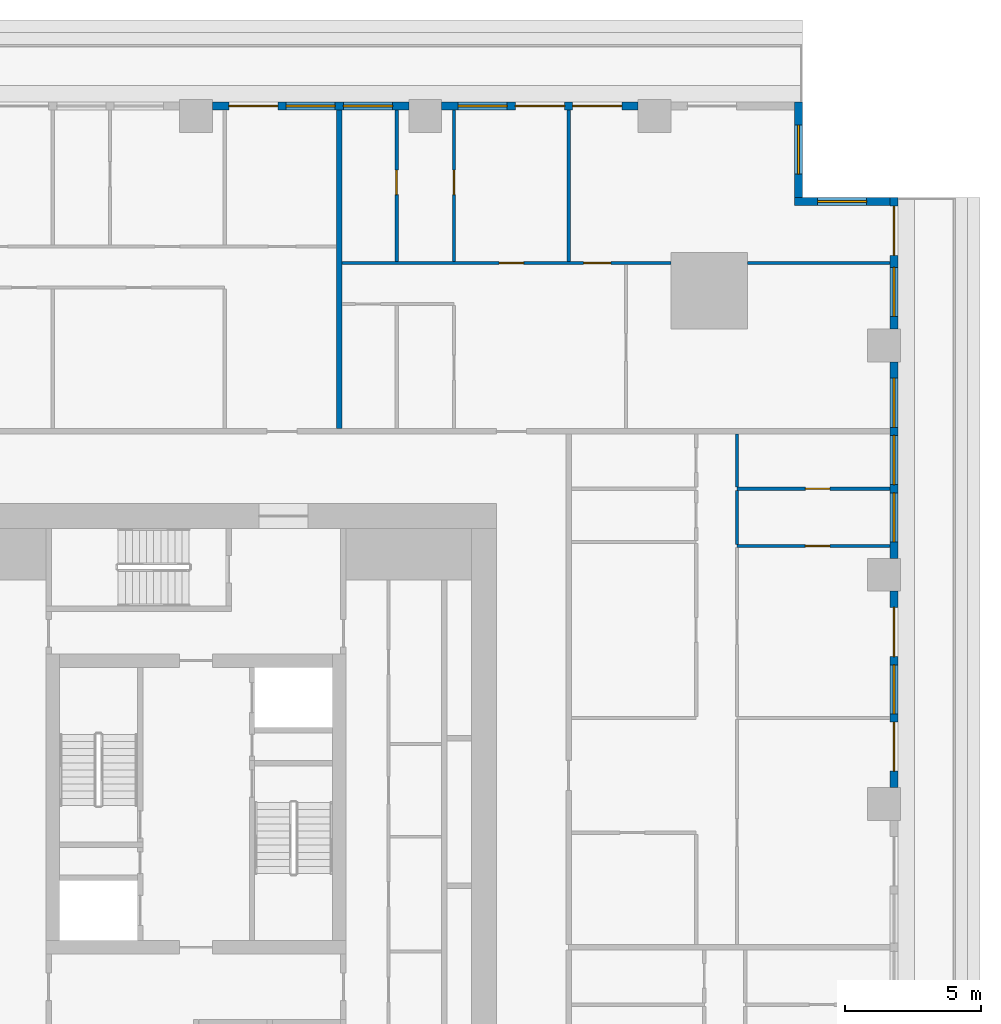
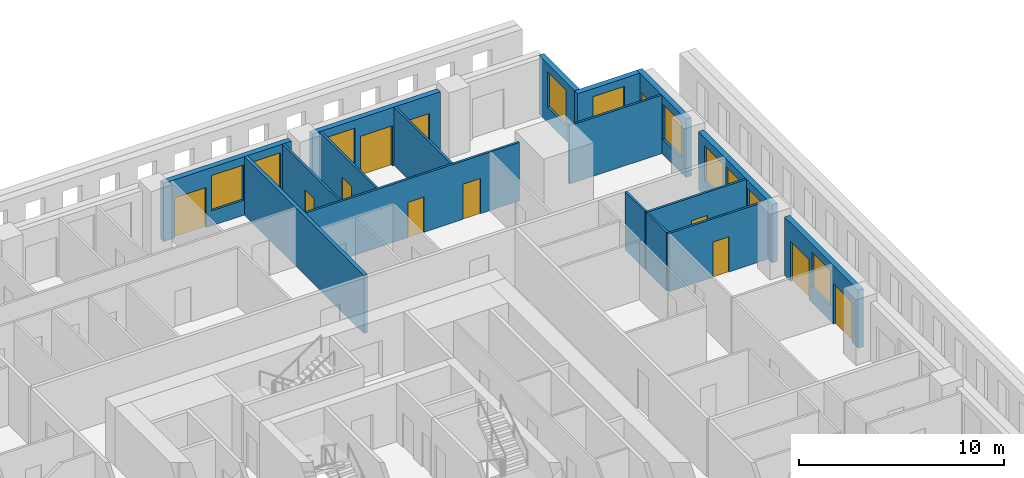
# One storey, part 9 of 15: 17 walls, 12 doors, 10 windows, 22 openings.
"""IFC4 building model written with IfcOpenShell, lengths in metres."""

from ifc_helpers import new_model, si_unit, direction, frame, frame_2d, origin, place, context, subcontext, project, spatial, rectangle, extrude, material, layer, layer_set, type_object, element, fill, save


model = new_model("IFC4")

# Units and contexts
model_context = context("Model", 3, precision=1e-05, world=origin(), true_north=direction((0.0, 1.0)))
body_context = subcontext(model_context, "Body", "Model", "MODEL_VIEW")
ifc_project = project(units=[si_unit("LENGTHUNIT", "METRE"), si_unit("AREAUNIT", "SQUARE_METRE"), si_unit("VOLUMEUNIT", "CUBIC_METRE"), si_unit("PLANEANGLEUNIT", "RADIAN"), si_unit("MASSUNIT", "GRAM", prefix="KILO")], contexts=[model_context])

# Site, building, storey
site_placement = place(None, origin())
site = spatial("IfcSite", under=ifc_project, at=site_placement, CompositionType="ELEMENT")
building_placement = place(site_placement, origin())
building = spatial("IfcBuilding", under=site, at=building_placement, Name="Khepri Terraces", CompositionType="ELEMENT")
storey_placement = place(building_placement, frame((0.0, 0.0, 83.10009765625)))
storey = spatial("IfcBuildingStorey", under=building, at=storey_placement, Name="L19", CompositionType="ELEMENT", Elevation=83.10009765625)

# Wall
ifc_material_1 = material(Name="Fire-rated gypsum plasterboard partition, mineral wool")
ifc_layer_1 = layer(ifc_material_1, 0.199951171875, Name="Fire-rated gypsum plasterboard partition, mineral wool")
ifc_layer_set_1 = layer_set([ifc_layer_1], Name="Fire-rated gypsum plasterboard partition, mineral wool")
wall_type_1 = type_object("IfcWallType", Name="WL-CORR-200", PredefinedType="PARTITIONING", material=ifc_layer_set_1)
wall_1_placement = place(storey_placement, frame((5.25, 13.75, 0.0), z_axis=(0.0, 0.0, 1.0), x_axis=(0.0, 1.0, 0.0)))
element("IfcWall", 1, at=wall_1_placement, inside=storey, type_object=wall_type_1, Name="Partition P-086 L19", PredefinedType="PARTITIONING", context=body_context, shape_type="SweptSolid", body=[
    extrude(rectangle(XDim=11.669921875, YDim=0.199951171875, at=frame_2d((5.8349609375, 0.0))), origin(), (0.0, 0.0, 1.0), 3.47998046875),
])

# Wall, openings, doors, window
ifc_material_2 = material(Name="Precast concrete C50/60 warm stone", Category="masonry")
ifc_layer_2 = layer(ifc_material_2, 0.300048828125, Name="Precast concrete C50/60 warm stone", Category="masonry")
ifc_layer_set_2 = layer_set([ifc_layer_2], Name="Precast concrete C50/60 warm stone")
wall_type_2 = type_object("IfcWallType", Name="WL-EXT-PRECAST-300", PredefinedType="STANDARD", material=ifc_layer_set_2)
wall_2_placement = place(storey_placement, frame((25.570068359375, 0.60009765625, 0.0), z_axis=(0.0, 0.0, 1.0), x_axis=(0.0, 1.0, 0.0)))
wall_2 = element("IfcWall", 2, at=wall_2_placement, inside=storey, type_object=wall_type_2, Name="External wall L19 E", PredefinedType="STANDARD", context=body_context, shape_type="SweptSolid", body=[
    extrude(rectangle(XDim=7.199951171875, YDim=0.300048828125, at=frame_2d((3.60009765625, 0.0))), origin(), (0.0, 0.0, 1.0), 3.47998046875),
])
opening_1_placement = place(wall_2_placement, frame((0.60009765625, 0.0, 0.0)))
opening_1 = element("IfcOpeningElement", 3, at=opening_1_placement, cuts=wall_2, Name="Opening ED-L19-05", PredefinedType="OPENING", context=body_context, shape_type="SweptSolid", body=[
    extrude(rectangle(XDim=1.800048828125, YDim=2.39990234375, at=frame_2d((0.89990234375, 1.199951171875))), frame((0.0, 0.16015625, 0.0), z_axis=(0.0, -1.0, 0.0), x_axis=(1.0, 0.0, 0.0)), (0.0, 0.0, 1.0), 0.320068359375),
])
opening_2_placement = place(wall_2_placement, frame((2.699951171875, 0.0, 0.89990234375)))
opening_2 = element("IfcOpeningElement", 4, at=opening_2_placement, cuts=wall_2, Name="Opening W1", PredefinedType="OPENING", context=body_context, shape_type="SweptSolid", body=[
    extrude(rectangle(XDim=1.800048828125, YDim=2.10009765625, at=frame_2d((0.89990234375, 1.050048828125))), frame((0.0, 0.16015625, 0.0), z_axis=(0.0, -1.0, 0.0), x_axis=(1.0, 0.0, 0.0)), (0.0, 0.0, 1.0), 0.320068359375),
])
opening_3_placement = place(wall_2_placement, frame((4.800048828125, 0.0, 0.0)))
opening_3 = element("IfcOpeningElement", 5, at=opening_3_placement, cuts=wall_2, Name="Opening ED-L19-06", PredefinedType="OPENING", context=body_context, shape_type="SweptSolid", body=[
    extrude(rectangle(XDim=1.800048828125, YDim=2.39990234375, at=frame_2d((0.89990234375, 1.199951171875))), frame((0.0, 0.16015625, 0.0), z_axis=(0.0, -1.0, 0.0), x_axis=(1.0, 0.0, 0.0)), (0.0, 0.0, 1.0), 0.320068359375),
])
ifc_material_3 = material(Name="Anodised aluminium bronze glazed door", Category="aluminium")
door_type_1 = type_object("IfcDoorType", Name="DR-BAL-SLIDE-1800x2400", OperationType="NOTDEFINED", PredefinedType="DOOR", material=ifc_material_3)
door_1_placement = place(opening_1_placement, origin())
door_1 = element("IfcDoor", 6, at=door_1_placement, inside=storey, type_object=door_type_1, Name="Balcony door L19 E", OperationType="SLIDING_TO_LEFT", OverallHeight=2.39990234375, OverallWidth=1.800048828125, PredefinedType="DOOR", context=body_context, shape_type="SweptSolid", body=[
    extrude(rectangle(XDim=1.800048828125, YDim=2.39990234375, at=frame_2d((0.89990234375, 1.199951171875))), frame((0.0, 0.02490234375, 0.0), z_axis=(0.0, -1.0, 0.0), x_axis=(1.0, 0.0, 0.0)), (0.0, 0.0, 1.0), 0.050048828125),
])
fill(opening_1, door_1)
door_2_placement = place(opening_3_placement, origin())
door_2 = element("IfcDoor", 7, at=door_2_placement, inside=storey, type_object=door_type_1, Name="Balcony door L19 E", OperationType="SLIDING_TO_RIGHT", OverallHeight=2.39990234375, OverallWidth=1.800048828125, PredefinedType="DOOR", context=body_context, shape_type="SweptSolid", body=[
    extrude(rectangle(XDim=1.800048828125, YDim=2.39990234375, at=frame_2d((0.89990234375, 1.199951171875))), frame((0.0, 0.02490234375, 0.0), z_axis=(0.0, -1.0, 0.0), x_axis=(1.0, 0.0, 0.0)), (0.0, 0.0, 1.0), 0.050048828125),
])
fill(opening_3, door_2)
ifc_material_4 = material(Name="Clear glass", Category="glass")
window_type = type_object("IfcWindowType", Name="WIN-RES-1800x2100", PartitioningType="SINGLE_PANEL", PredefinedType="WINDOW", material=ifc_material_4)
window_1_placement = place(opening_2_placement, origin())
window_1 = element("IfcWindow", 8, at=window_1_placement, inside=storey, type_object=window_type, Name="Window L19 E", OverallHeight=2.10009765625, OverallWidth=1.800048828125, PartitioningType="SINGLE_PANEL", PredefinedType="WINDOW", context=body_context, shape_type="SweptSolid", body=[
    extrude(rectangle(XDim=1.800048828125, YDim=2.10009765625, at=frame_2d((0.89990234375, 1.050048828125))), frame((0.0, 0.030029296875, 0.0), z_axis=(0.0, -1.0, 0.0), x_axis=(1.0, 0.0, 0.0)), (0.0, 0.0, 1.0), 0.06005859375),
])
fill(opening_2, window_1)

# Wall, openings, windows
wall_3_placement = place(storey_placement, frame((25.570068359375, 9.0, 0.0), z_axis=(0.0, 0.0, 1.0), x_axis=(0.0, 1.0, 0.0)))
wall_3 = element("IfcWall", 9, at=wall_3_placement, inside=storey, type_object=wall_type_2, Name="External wall L19 E", PredefinedType="STANDARD", context=body_context, shape_type="SweptSolid", body=[
    extrude(rectangle(XDim=7.199951171875, YDim=0.300048828125, at=frame_2d((3.60009765625, 0.0))), origin(), (0.0, 0.0, 1.0), 3.47998046875),
])
opening_4_placement = place(wall_3_placement, frame((0.60009765625, 0.0, 0.89990234375)))
opening_4 = element("IfcOpeningElement", 10, at=opening_4_placement, cuts=wall_3, Name="Opening W1", PredefinedType="OPENING", context=body_context, shape_type="SweptSolid", body=[
    extrude(rectangle(XDim=1.800048828125, YDim=2.10009765625, at=frame_2d((0.89990234375, 1.050048828125))), frame((0.0, 0.16015625, 0.0), z_axis=(0.0, -1.0, 0.0), x_axis=(1.0, 0.0, 0.0)), (0.0, 0.0, 1.0), 0.320068359375),
])
opening_5_placement = place(wall_3_placement, frame((2.699951171875, 0.0, 0.89990234375)))
opening_5 = element("IfcOpeningElement", 11, at=opening_5_placement, cuts=wall_3, Name="Opening W1", PredefinedType="OPENING", context=body_context, shape_type="SweptSolid", body=[
    extrude(rectangle(XDim=1.800048828125, YDim=2.10009765625, at=frame_2d((0.89990234375, 1.050048828125))), frame((0.0, 0.16015625, 0.0), z_axis=(0.0, -1.0, 0.0), x_axis=(1.0, 0.0, 0.0)), (0.0, 0.0, 1.0), 0.320068359375),
])
opening_6_placement = place(wall_3_placement, frame((4.800048828125, 0.0, 0.89990234375)))
opening_6 = element("IfcOpeningElement", 12, at=opening_6_placement, cuts=wall_3, Name="Opening W1", PredefinedType="OPENING", context=body_context, shape_type="SweptSolid", body=[
    extrude(rectangle(XDim=1.800048828125, YDim=2.10009765625, at=frame_2d((0.89990234375, 1.050048828125))), frame((0.0, 0.16015625, 0.0), z_axis=(0.0, -1.0, 0.0), x_axis=(1.0, 0.0, 0.0)), (0.0, 0.0, 1.0), 0.320068359375),
])
window_2_placement = place(opening_4_placement, origin())
window_2 = element("IfcWindow", 13, at=window_2_placement, inside=storey, type_object=window_type, Name="Window L19 E", OverallHeight=2.10009765625, OverallWidth=1.800048828125, PartitioningType="SINGLE_PANEL", PredefinedType="WINDOW", context=body_context, shape_type="SweptSolid", body=[
    extrude(rectangle(XDim=1.800048828125, YDim=2.10009765625, at=frame_2d((0.89990234375, 1.050048828125))), frame((0.0, 0.030029296875, 0.0), z_axis=(0.0, -1.0, 0.0), x_axis=(1.0, 0.0, 0.0)), (0.0, 0.0, 1.0), 0.06005859375),
])
fill(opening_4, window_2)
window_3_placement = place(opening_5_placement, origin())
window_3 = element("IfcWindow", 14, at=window_3_placement, inside=storey, type_object=window_type, Name="Window L19 E", OverallHeight=2.10009765625, OverallWidth=1.800048828125, PartitioningType="SINGLE_PANEL", PredefinedType="WINDOW", context=body_context, shape_type="SweptSolid", body=[
    extrude(rectangle(XDim=1.800048828125, YDim=2.10009765625, at=frame_2d((0.89990234375, 1.050048828125))), frame((0.0, 0.030029296875, 0.0), z_axis=(0.0, -1.0, 0.0), x_axis=(1.0, 0.0, 0.0)), (0.0, 0.0, 1.0), 0.06005859375),
])
fill(opening_5, window_3)
window_4_placement = place(opening_6_placement, origin())
window_4 = element("IfcWindow", 15, at=window_4_placement, inside=storey, type_object=window_type, Name="Window L19 E", OverallHeight=2.10009765625, OverallWidth=1.800048828125, PartitioningType="SINGLE_PANEL", PredefinedType="WINDOW", context=body_context, shape_type="SweptSolid", body=[
    extrude(rectangle(XDim=1.800048828125, YDim=2.10009765625, at=frame_2d((0.89990234375, 1.050048828125))), frame((0.0, 0.030029296875, 0.0), z_axis=(0.0, -1.0, 0.0), x_axis=(1.0, 0.0, 0.0)), (0.0, 0.0, 1.0), 0.06005859375),
])
fill(opening_6, window_4)

# Wall, openings, door, window
wall_4_placement = place(storey_placement, frame((25.570068359375, 17.39990234375, 0.0), z_axis=(0.0, 0.0, 1.0), x_axis=(0.0, 1.0, 0.0)))
wall_4 = element("IfcWall", 16, at=wall_4_placement, inside=storey, type_object=wall_type_2, Name="External wall L19 E", PredefinedType="STANDARD", context=body_context, shape_type="SweptSolid", body=[
    extrude(rectangle(XDim=4.820068359375, YDim=0.300048828125, at=frame_2d((2.41015625, 0.0))), origin(), (0.0, 0.0, 1.0), 3.47998046875),
])
opening_7_placement = place(wall_4_placement, frame((2.699951171875, 0.0, 0.0)))
opening_7 = element("IfcOpeningElement", 17, at=opening_7_placement, cuts=wall_4, Name="Opening ED-L19-07", PredefinedType="OPENING", context=body_context, shape_type="SweptSolid", body=[
    extrude(rectangle(XDim=1.800048828125, YDim=2.39990234375, at=frame_2d((0.89990234375, 1.199951171875))), frame((0.0, 0.16015625, 0.0), z_axis=(0.0, -1.0, 0.0), x_axis=(1.0, 0.0, 0.0)), (0.0, 0.0, 1.0), 0.320068359375),
])
opening_8_placement = place(wall_4_placement, frame((0.4599609375, 0.0, 0.89990234375)))
opening_8 = element("IfcOpeningElement", 18, at=opening_8_placement, cuts=wall_4, Name="Opening W1", PredefinedType="OPENING", context=body_context, shape_type="SweptSolid", body=[
    extrude(rectangle(XDim=1.800048828125, YDim=2.10009765625, at=frame_2d((0.89990234375, 1.050048828125))), frame((0.0, 0.16015625, 0.0), z_axis=(0.0, -1.0, 0.0), x_axis=(1.0, 0.0, 0.0)), (0.0, 0.0, 1.0), 0.320068359375),
])
door_3_placement = place(opening_7_placement, origin())
door_3 = element("IfcDoor", 19, at=door_3_placement, inside=storey, type_object=door_type_1, Name="Balcony door L19 E", OperationType="SLIDING_TO_LEFT", OverallHeight=2.39990234375, OverallWidth=1.800048828125, PredefinedType="DOOR", context=body_context, shape_type="SweptSolid", body=[
    extrude(rectangle(XDim=1.800048828125, YDim=2.39990234375, at=frame_2d((0.89990234375, 1.199951171875))), frame((0.0, 0.02490234375, 0.0), z_axis=(0.0, -1.0, 0.0), x_axis=(1.0, 0.0, 0.0)), (0.0, 0.0, 1.0), 0.050048828125),
])
fill(opening_7, door_3)
window_5_placement = place(opening_8_placement, origin())
window_5 = element("IfcWindow", 20, at=window_5_placement, inside=storey, type_object=window_type, Name="Window L19 E", OverallHeight=2.10009765625, OverallWidth=1.800048828125, PartitioningType="SINGLE_PANEL", PredefinedType="WINDOW", context=body_context, shape_type="SweptSolid", body=[
    extrude(rectangle(XDim=1.800048828125, YDim=2.10009765625, at=frame_2d((0.89990234375, 1.050048828125))), frame((0.0, 0.030029296875, 0.0), z_axis=(0.0, -1.0, 0.0), x_axis=(1.0, 0.0, 0.0)), (0.0, 0.0, 1.0), 0.06005859375),
])
fill(opening_8, window_5)

# Wall, opening, window
wall_5_placement = place(storey_placement, frame((25.419921875, 22.070068359375, 0.0), z_axis=(0.0, 0.0, 1.0), x_axis=(-1.0, 0.0, 0.0)))
wall_5 = element("IfcWall", 21, at=wall_5_placement, inside=storey, type_object=wall_type_2, Name="External wall L19 N", PredefinedType="STANDARD", context=body_context, shape_type="SweptSolid", body=[
    extrude(rectangle(XDim=3.5, YDim=0.300048828125, at=frame_2d((1.75, 0.0))), origin(), (0.0, 0.0, 1.0), 3.47998046875),
])
opening_9_placement = place(wall_5_placement, frame((0.85009765625, 0.0, 0.89990234375)))
opening_9 = element("IfcOpeningElement", 22, at=opening_9_placement, cuts=wall_5, Name="Opening W1", PredefinedType="OPENING", context=body_context, shape_type="SweptSolid", body=[
    extrude(rectangle(XDim=1.800048828125, YDim=2.10009765625, at=frame_2d((0.89990234375, 1.050048828125))), frame((0.0, 0.16015625, 0.0), z_axis=(0.0, -1.0, 0.0), x_axis=(1.0, 0.0, 0.0)), (0.0, 0.0, 1.0), 0.320068359375),
])
window_6_placement = place(opening_9_placement, origin())
window_6 = element("IfcWindow", 23, at=window_6_placement, inside=storey, type_object=window_type, Name="Window L19 N", OverallHeight=2.10009765625, OverallWidth=1.800048828125, PartitioningType="SINGLE_PANEL", PredefinedType="WINDOW", context=body_context, shape_type="SweptSolid", body=[
    extrude(rectangle(XDim=1.800048828125, YDim=2.10009765625, at=frame_2d((0.89990234375, 1.050048828125))), frame((0.0, 0.030029296875, 0.0), z_axis=(0.0, -1.0, 0.0), x_axis=(1.0, 0.0, 0.0)), (0.0, 0.0, 1.0), 0.06005859375),
])
fill(opening_9, window_6)

wall_6_placement = place(storey_placement, frame((22.070068359375, 22.219970703125, 0.0), z_axis=(0.0, 0.0, 1.0), x_axis=(0.0, 1.0, 0.0)))
wall_6 = element("IfcWall", 24, at=wall_6_placement, inside=storey, type_object=wall_type_2, Name="External wall L19 E", PredefinedType="STANDARD", context=body_context, shape_type="SweptSolid", body=[
    extrude(rectangle(XDim=3.5, YDim=0.300048828125, at=frame_2d((1.75, 0.0))), origin(), (0.0, 0.0, 1.0), 3.47998046875),
])
opening_10_placement = place(wall_6_placement, frame((0.85009765625, 0.0, 0.89990234375)))
opening_10 = element("IfcOpeningElement", 25, at=opening_10_placement, cuts=wall_6, Name="Opening W1", PredefinedType="OPENING", context=body_context, shape_type="SweptSolid", body=[
    extrude(rectangle(XDim=1.800048828125, YDim=2.10009765625, at=frame_2d((0.89990234375, 1.050048828125))), frame((0.0, 0.16015625, 0.0), z_axis=(0.0, -1.0, 0.0), x_axis=(1.0, 0.0, 0.0)), (0.0, 0.0, 1.0), 0.320068359375),
])
window_7_placement = place(opening_10_placement, origin())
window_7 = element("IfcWindow", 26, at=window_7_placement, inside=storey, type_object=window_type, Name="Window L19 E", OverallHeight=2.10009765625, OverallWidth=1.800048828125, PartitioningType="SINGLE_PANEL", PredefinedType="WINDOW", context=body_context, shape_type="SweptSolid", body=[
    extrude(rectangle(XDim=1.800048828125, YDim=2.10009765625, at=frame_2d((0.89990234375, 1.050048828125))), frame((0.0, 0.030029296875, 0.0), z_axis=(0.0, -1.0, 0.0), x_axis=(1.0, 0.0, 0.0)), (0.0, 0.0, 1.0), 0.06005859375),
])
fill(opening_10, window_7)

# Wall, openings, doors, window
wall_7_placement = place(storey_placement, frame((16.199951171875, 25.570068359375, 0.0), z_axis=(0.0, 0.0, 1.0), x_axis=(-1.0, 0.0, 0.0)))
wall_7 = element("IfcWall", 27, at=wall_7_placement, inside=storey, type_object=wall_type_2, Name="External wall L19 N", PredefinedType="STANDARD", context=body_context, shape_type="SweptSolid", body=[
    extrude(rectangle(XDim=7.199951171875, YDim=0.300048828125, at=frame_2d((3.60009765625, 0.0))), origin(), (0.0, 0.0, 1.0), 3.47998046875),
])
opening_11_placement = place(wall_7_placement, frame((0.60009765625, 0.0, 0.0)))
opening_11 = element("IfcOpeningElement", 28, at=opening_11_placement, cuts=wall_7, Name="Opening ED-L19-09", PredefinedType="OPENING", context=body_context, shape_type="SweptSolid", body=[
    extrude(rectangle(XDim=1.800048828125, YDim=2.39990234375, at=frame_2d((0.89990234375, 1.199951171875))), frame((0.0, 0.16015625, 0.0), z_axis=(0.0, -1.0, 0.0), x_axis=(1.0, 0.0, 0.0)), (0.0, 0.0, 1.0), 0.320068359375),
])
opening_12_placement = place(wall_7_placement, frame((2.699951171875, 0.0, 0.0)))
opening_12 = element("IfcOpeningElement", 29, at=opening_12_placement, cuts=wall_7, Name="Opening ED-L19-10", PredefinedType="OPENING", context=body_context, shape_type="SweptSolid", body=[
    extrude(rectangle(XDim=1.800048828125, YDim=2.39990234375, at=frame_2d((0.89990234375, 1.199951171875))), frame((0.0, 0.16015625, 0.0), z_axis=(0.0, -1.0, 0.0), x_axis=(1.0, 0.0, 0.0)), (0.0, 0.0, 1.0), 0.320068359375),
])
opening_13_placement = place(wall_7_placement, frame((4.800048828125, 0.0, 0.89990234375)))
opening_13 = element("IfcOpeningElement", 30, at=opening_13_placement, cuts=wall_7, Name="Opening W1", PredefinedType="OPENING", context=body_context, shape_type="SweptSolid", body=[
    extrude(rectangle(XDim=1.800048828125, YDim=2.10009765625, at=frame_2d((0.89990234375, 1.050048828125))), frame((0.0, 0.16015625, 0.0), z_axis=(0.0, -1.0, 0.0), x_axis=(1.0, 0.0, 0.0)), (0.0, 0.0, 1.0), 0.320068359375),
])
door_4_placement = place(opening_11_placement, origin())
door_4 = element("IfcDoor", 31, at=door_4_placement, inside=storey, type_object=door_type_1, Name="Balcony door L19 N", OperationType="SLIDING_TO_LEFT", OverallHeight=2.39990234375, OverallWidth=1.800048828125, PredefinedType="DOOR", context=body_context, shape_type="SweptSolid", body=[
    extrude(rectangle(XDim=1.800048828125, YDim=2.39990234375, at=frame_2d((0.89990234375, 1.199951171875))), frame((0.0, 0.02490234375, 0.0), z_axis=(0.0, -1.0, 0.0), x_axis=(1.0, 0.0, 0.0)), (0.0, 0.0, 1.0), 0.050048828125),
])
fill(opening_11, door_4)
door_5_placement = place(opening_12_placement, origin())
door_5 = element("IfcDoor", 32, at=door_5_placement, inside=storey, type_object=door_type_1, Name="Balcony door L19 N", OperationType="SLIDING_TO_RIGHT", OverallHeight=2.39990234375, OverallWidth=1.800048828125, PredefinedType="DOOR", context=body_context, shape_type="SweptSolid", body=[
    extrude(rectangle(XDim=1.800048828125, YDim=2.39990234375, at=frame_2d((0.89990234375, 1.199951171875))), frame((0.0, 0.02490234375, 0.0), z_axis=(0.0, -1.0, 0.0), x_axis=(1.0, 0.0, 0.0)), (0.0, 0.0, 1.0), 0.050048828125),
])
fill(opening_12, door_5)
window_8_placement = place(opening_13_placement, origin())
window_8 = element("IfcWindow", 33, at=window_8_placement, inside=storey, type_object=window_type, Name="Window L19 N", OverallHeight=2.10009765625, OverallWidth=1.800048828125, PartitioningType="SINGLE_PANEL", PredefinedType="WINDOW", context=body_context, shape_type="SweptSolid", body=[
    extrude(rectangle(XDim=1.800048828125, YDim=2.10009765625, at=frame_2d((0.89990234375, 1.050048828125))), frame((0.0, 0.030029296875, 0.0), z_axis=(0.0, -1.0, 0.0), x_axis=(1.0, 0.0, 0.0)), (0.0, 0.0, 1.0), 0.06005859375),
])
fill(opening_13, window_8)

# Wall, openings, door, windows
wall_8_placement = place(storey_placement, frame((7.800048828125, 25.570068359375, 0.0), z_axis=(0.0, 0.0, 1.0), x_axis=(-1.0, 0.0, 0.0)))
wall_8 = element("IfcWall", 34, at=wall_8_placement, inside=storey, type_object=wall_type_2, Name="External wall L19 N", PredefinedType="STANDARD", context=body_context, shape_type="SweptSolid", body=[
    extrude(rectangle(XDim=7.199951171875, YDim=0.300048828125, at=frame_2d((3.60009765625, 0.0))), origin(), (0.0, 0.0, 1.0), 3.47998046875),
])
opening_14_placement = place(wall_8_placement, frame((0.60009765625, 0.0, 0.89990234375)))
opening_14 = element("IfcOpeningElement", 35, at=opening_14_placement, cuts=wall_8, Name="Opening W1", PredefinedType="OPENING", context=body_context, shape_type="SweptSolid", body=[
    extrude(rectangle(XDim=1.800048828125, YDim=2.10009765625, at=frame_2d((0.89990234375, 1.050048828125))), frame((0.0, 0.16015625, 0.0), z_axis=(0.0, -1.0, 0.0), x_axis=(1.0, 0.0, 0.0)), (0.0, 0.0, 1.0), 0.320068359375),
])
opening_15_placement = place(wall_8_placement, frame((2.699951171875, 0.0, 0.89990234375)))
opening_15 = element("IfcOpeningElement", 36, at=opening_15_placement, cuts=wall_8, Name="Opening W1", PredefinedType="OPENING", context=body_context, shape_type="SweptSolid", body=[
    extrude(rectangle(XDim=1.800048828125, YDim=2.10009765625, at=frame_2d((0.89990234375, 1.050048828125))), frame((0.0, 0.16015625, 0.0), z_axis=(0.0, -1.0, 0.0), x_axis=(1.0, 0.0, 0.0)), (0.0, 0.0, 1.0), 0.320068359375),
])
opening_16_placement = place(wall_8_placement, frame((4.800048828125, 0.0, 0.0)))
opening_16 = element("IfcOpeningElement", 37, at=opening_16_placement, cuts=wall_8, Name="Opening ED-L19-11", PredefinedType="OPENING", context=body_context, shape_type="SweptSolid", body=[
    extrude(rectangle(XDim=1.800048828125, YDim=2.39990234375, at=frame_2d((0.89990234375, 1.199951171875))), frame((0.0, 0.16015625, 0.0), z_axis=(0.0, -1.0, 0.0), x_axis=(1.0, 0.0, 0.0)), (0.0, 0.0, 1.0), 0.320068359375),
])
door_6_placement = place(opening_16_placement, origin())
door_6 = element("IfcDoor", 38, at=door_6_placement, inside=storey, type_object=door_type_1, Name="Balcony door L19 N", OperationType="SLIDING_TO_RIGHT", OverallHeight=2.39990234375, OverallWidth=1.800048828125, PredefinedType="DOOR", context=body_context, shape_type="SweptSolid", body=[
    extrude(rectangle(XDim=1.800048828125, YDim=2.39990234375, at=frame_2d((0.89990234375, 1.199951171875))), frame((0.0, 0.02490234375, 0.0), z_axis=(0.0, -1.0, 0.0), x_axis=(1.0, 0.0, 0.0)), (0.0, 0.0, 1.0), 0.050048828125),
])
fill(opening_16, door_6)
window_9_placement = place(opening_14_placement, origin())
window_9 = element("IfcWindow", 39, at=window_9_placement, inside=storey, type_object=window_type, Name="Window L19 N", OverallHeight=2.10009765625, OverallWidth=1.800048828125, PartitioningType="SINGLE_PANEL", PredefinedType="WINDOW", context=body_context, shape_type="SweptSolid", body=[
    extrude(rectangle(XDim=1.800048828125, YDim=2.10009765625, at=frame_2d((0.89990234375, 1.050048828125))), frame((0.0, 0.030029296875, 0.0), z_axis=(0.0, -1.0, 0.0), x_axis=(1.0, 0.0, 0.0)), (0.0, 0.0, 1.0), 0.06005859375),
])
fill(opening_14, window_9)
window_10_placement = place(opening_15_placement, origin())
window_10 = element("IfcWindow", 40, at=window_10_placement, inside=storey, type_object=window_type, Name="Window L19 N", OverallHeight=2.10009765625, OverallWidth=1.800048828125, PartitioningType="SINGLE_PANEL", PredefinedType="WINDOW", context=body_context, shape_type="SweptSolid", body=[
    extrude(rectangle(XDim=1.800048828125, YDim=2.10009765625, at=frame_2d((0.89990234375, 1.050048828125))), frame((0.0, 0.030029296875, 0.0), z_axis=(0.0, -1.0, 0.0), x_axis=(1.0, 0.0, 0.0)), (0.0, 0.0, 1.0), 0.06005859375),
])
fill(opening_15, window_10)

# Wall, opening, door
ifc_material_5 = material(Name="Gypsum plasterboard partition")
ifc_layer_3 = layer(ifc_material_5, 0.1201171875, Name="Gypsum plasterboard partition")
ifc_layer_set_3 = layer_set([ifc_layer_3], Name="Gypsum plasterboard partition")
wall_type_3 = type_object("IfcWallType", Name="WL-PART-120", PredefinedType="PARTITIONING", material=ifc_layer_set_3)
wall_9_placement = place(storey_placement, frame((19.820068359375, 9.449951171875, 0.0), z_axis=(0.0, 0.0, 1.0), x_axis=(1.0, 0.0, 0.0)))
wall_9 = element("IfcWall", 41, at=wall_9_placement, inside=storey, type_object=wall_type_3, Name="Partition P-068 L19", PredefinedType="PARTITIONING", context=body_context, shape_type="SweptSolid", body=[
    extrude(rectangle(XDim=5.599853515625, YDim=0.1201171875, at=frame_2d((2.7998046875, 0.0))), origin(), (0.0, 0.0, 1.0), 3.47998046875),
])
opening_17_placement = place(wall_9_placement, frame((2.5, 0.0, 0.0)))
opening_17 = element("IfcOpeningElement", 42, at=opening_17_placement, cuts=wall_9, Name="Opening D3", PredefinedType="OPENING", context=body_context, shape_type="SweptSolid", body=[
    extrude(rectangle(XDim=0.89990234375, YDim=2.10009765625, at=frame_2d((0.449951171875, 1.050048828125))), frame((0.0, 0.070068359375, 0.0), z_axis=(0.0, -1.0, 0.0), x_axis=(1.0, 0.0, 0.0)), (0.0, 0.0, 1.0), 0.14013671875),
])
ifc_material_6 = material(Name="Timber door leaf", Category="wood")
door_type_2 = type_object("IfcDoorType", Name="DR-INT-900", OperationType="NOTDEFINED", PredefinedType="DOOR", material=ifc_material_6)
door_7_placement = place(opening_17_placement, origin())
door_7 = element("IfcDoor", 43, at=door_7_placement, inside=storey, type_object=door_type_2, Name="Door Dressing Room", OperationType="SINGLE_SWING_RIGHT", OverallHeight=2.10009765625, OverallWidth=0.89990234375, PredefinedType="DOOR", context=body_context, shape_type="SweptSolid", body=[
    extrude(rectangle(XDim=0.89990234375, YDim=2.10009765625, at=frame_2d((0.449951171875, 1.050048828125))), frame((0.0, 0.02490234375, 0.0), z_axis=(0.0, -1.0, 0.0), x_axis=(1.0, 0.0, 0.0)), (0.0, 0.0, 1.0), 0.050048828125),
])
fill(opening_17, door_7)

# Wall
wall_10_placement = place(storey_placement, frame((19.820068359375, 9.510009765625, 0.0), z_axis=(0.0, 0.0, 1.0), x_axis=(0.0, 1.0, 0.0)))
element("IfcWall", 44, at=wall_10_placement, inside=storey, type_object=wall_type_3, Name="Partition P-070 L19", PredefinedType="PARTITIONING", context=body_context, shape_type="SweptSolid", body=[
    extrude(rectangle(XDim=1.97998046875, YDim=0.1201171875, at=frame_2d((0.989990234375, 0.0))), origin(), (0.0, 0.0, 1.0), 3.47998046875),
])

# Wall, opening, door
wall_11_placement = place(storey_placement, frame((19.820068359375, 11.550048828125, 0.0), z_axis=(0.0, 0.0, 1.0), x_axis=(1.0, 0.0, 0.0)))
wall_11 = element("IfcWall", 45, at=wall_11_placement, inside=storey, type_object=wall_type_3, Name="Partition P-074 L19", PredefinedType="PARTITIONING", context=body_context, shape_type="SweptSolid", body=[
    extrude(rectangle(XDim=5.599853515625, YDim=0.1201171875, at=frame_2d((2.7998046875, 0.0))), origin(), (0.0, 0.0, 1.0), 3.47998046875),
])
opening_18_placement = place(wall_11_placement, frame((2.5, 0.0, 0.0)))
opening_18 = element("IfcOpeningElement", 46, at=opening_18_placement, cuts=wall_11, Name="Opening D4", PredefinedType="OPENING", context=body_context, shape_type="SweptSolid", body=[
    extrude(rectangle(XDim=0.89990234375, YDim=2.10009765625, at=frame_2d((0.449951171875, 1.050048828125))), frame((0.0, 0.070068359375, 0.0), z_axis=(0.0, -1.0, 0.0), x_axis=(1.0, 0.0, 0.0)), (0.0, 0.0, 1.0), 0.14013671875),
])
ifc_material_7 = material(Name="Timber door leaf, moisture resistant", Category="wood")
door_type_3 = type_object("IfcDoorType", Name="DR-WET-900", OperationType="NOTDEFINED", PredefinedType="DOOR", material=ifc_material_7)
door_8_placement = place(opening_18_placement, origin())
door_8 = element("IfcDoor", 47, at=door_8_placement, inside=storey, type_object=door_type_3, Name="Door Bathroom", OperationType="SINGLE_SWING_RIGHT", OverallHeight=2.10009765625, OverallWidth=0.89990234375, PredefinedType="DOOR", context=body_context, shape_type="SweptSolid", body=[
    extrude(rectangle(XDim=0.89990234375, YDim=2.10009765625, at=frame_2d((0.449951171875, 1.050048828125))), frame((0.0, 0.02490234375, 0.0), z_axis=(0.0, -1.0, 0.0), x_axis=(1.0, 0.0, 0.0)), (0.0, 0.0, 1.0), 0.050048828125),
])
fill(opening_18, door_8)

# Wall
wall_12_placement = place(storey_placement, frame((19.820068359375, 11.610107421875, 0.0), z_axis=(0.0, 0.0, 1.0), x_axis=(0.0, 1.0, 0.0)))
element("IfcWall", 48, at=wall_12_placement, inside=storey, type_object=wall_type_3, Name="Partition P-076 L19", PredefinedType="PARTITIONING", context=body_context, shape_type="SweptSolid", body=[
    extrude(rectangle(XDim=1.93994140625, YDim=0.1201171875, at=frame_2d((0.969970703125, 0.0))), origin(), (0.0, 0.0, 1.0), 3.47998046875),
])

# Wall, openings, doors
wall_13_placement = place(storey_placement, frame((5.35009765625, 19.820068359375, 0.0), z_axis=(0.0, 0.0, 1.0), x_axis=(1.0, 0.0, 0.0)))
wall_13 = element("IfcWall", 49, at=wall_13_placement, inside=storey, type_object=wall_type_3, Name="Partition P-094 L19", PredefinedType="PARTITIONING", context=body_context, shape_type="SweptSolid", body=[
    extrude(rectangle(XDim=12.0498046875, YDim=0.1201171875, at=frame_2d((6.02490234375, 0.0))), origin(), (0.0, 0.0, 1.0), 3.47998046875),
])
opening_19_placement = place(wall_13_placement, frame((8.85009765625, 0.0, 0.0)))
opening_19 = element("IfcOpeningElement", 50, at=opening_19_placement, cuts=wall_13, Name="Opening D2", PredefinedType="OPENING", context=body_context, shape_type="SweptSolid", body=[
    extrude(rectangle(XDim=1.0, YDim=2.10009765625, at=frame_2d((0.5, 1.050048828125))), frame((0.0, 0.070068359375, 0.0), z_axis=(0.0, -1.0, 0.0), x_axis=(1.0, 0.0, 0.0)), (0.0, 0.0, 1.0), 0.14013671875),
])
opening_20_placement = place(wall_13_placement, frame((5.75, 0.0, 0.0)))
opening_20 = element("IfcOpeningElement", 51, at=opening_20_placement, cuts=wall_13, Name="Opening D3", PredefinedType="OPENING", context=body_context, shape_type="SweptSolid", body=[
    extrude(rectangle(XDim=0.89990234375, YDim=2.10009765625, at=frame_2d((0.449951171875, 1.050048828125))), frame((0.0, 0.070068359375, 0.0), z_axis=(0.0, -1.0, 0.0), x_axis=(1.0, 0.0, 0.0)), (0.0, 0.0, 1.0), 0.14013671875),
])
ifc_material_8 = material(Name="Timber door leaf, living room door", Category="wood")
door_type_4 = type_object("IfcDoorType", Name="DR-INT-1000", OperationType="NOTDEFINED", PredefinedType="DOOR", material=ifc_material_8)
door_9_placement = place(opening_19_placement, origin())
door_9 = element("IfcDoor", 52, at=door_9_placement, inside=storey, type_object=door_type_4, Name="Door Living Room", OperationType="SINGLE_SWING_RIGHT", OverallHeight=2.10009765625, OverallWidth=1.0, PredefinedType="DOOR", context=body_context, shape_type="SweptSolid", body=[
    extrude(rectangle(XDim=1.0, YDim=2.10009765625, at=frame_2d((0.5, 1.050048828125))), frame((0.0, 0.02490234375, 0.0), z_axis=(0.0, -1.0, 0.0), x_axis=(1.0, 0.0, 0.0)), (0.0, 0.0, 1.0), 0.050048828125),
])
fill(opening_19, door_9)
door_10_placement = place(opening_20_placement, origin())
door_10 = element("IfcDoor", 53, at=door_10_placement, inside=storey, type_object=door_type_2, Name="Door Master Bedroom", OperationType="SINGLE_SWING_RIGHT", OverallHeight=2.10009765625, OverallWidth=0.89990234375, PredefinedType="DOOR", context=body_context, shape_type="SweptSolid", body=[
    extrude(rectangle(XDim=0.89990234375, YDim=2.10009765625, at=frame_2d((0.449951171875, 1.050048828125))), frame((0.0, 0.02490234375, 0.0), z_axis=(0.0, -1.0, 0.0), x_axis=(1.0, 0.0, 0.0)), (0.0, 0.0, 1.0), 0.050048828125),
])
fill(opening_20, door_10)

# Wall
wall_14_placement = place(storey_placement, frame((20.199951171875, 19.820068359375, 0.0), z_axis=(0.0, 0.0, 1.0), x_axis=(1.0, 0.0, 0.0)))
element("IfcWall", 54, at=wall_14_placement, inside=storey, type_object=wall_type_3, Name="Partition P-095 L19", PredefinedType="PARTITIONING", context=body_context, shape_type="SweptSolid", body=[
    extrude(rectangle(XDim=5.219970703125, YDim=0.1201171875, at=frame_2d((2.60986328125, 0.0))), origin(), (0.0, 0.0, 1.0), 3.47998046875),
])

# Wall, opening, door
wall_15_placement = place(storey_placement, frame((7.35009765625, 19.8798828125, 0.0), z_axis=(0.0, 0.0, 1.0), x_axis=(0.0, 1.0, 0.0)))
wall_15 = element("IfcWall", 55, at=wall_15_placement, inside=storey, type_object=wall_type_3, Name="Partition P-096 L19", PredefinedType="PARTITIONING", context=body_context, shape_type="SweptSolid", body=[
    extrude(rectangle(XDim=5.5400390625, YDim=0.1201171875, at=frame_2d((2.77001953125, 0.0))), origin(), (0.0, 0.0, 1.0), 3.47998046875),
])
opening_21_placement = place(wall_15_placement, frame((2.43994140625, 0.0, 0.0)))
opening_21 = element("IfcOpeningElement", 56, at=opening_21_placement, cuts=wall_15, Name="Opening D4", PredefinedType="OPENING", context=body_context, shape_type="SweptSolid", body=[
    extrude(rectangle(XDim=0.89990234375, YDim=2.10009765625, at=frame_2d((0.449951171875, 1.050048828125))), frame((0.0, 0.070068359375, 0.0), z_axis=(0.0, -1.0, 0.0), x_axis=(1.0, 0.0, 0.0)), (0.0, 0.0, 1.0), 0.14013671875),
])
door_11_placement = place(opening_21_placement, origin())
door_11 = element("IfcDoor", 57, at=door_11_placement, inside=storey, type_object=door_type_3, Name="Door Bathroom", OperationType="SINGLE_SWING_RIGHT", OverallHeight=2.10009765625, OverallWidth=0.89990234375, PredefinedType="DOOR", context=body_context, shape_type="SweptSolid", body=[
    extrude(rectangle(XDim=0.89990234375, YDim=2.10009765625, at=frame_2d((0.449951171875, 1.050048828125))), frame((0.0, 0.02490234375, 0.0), z_axis=(0.0, -1.0, 0.0), x_axis=(1.0, 0.0, 0.0)), (0.0, 0.0, 1.0), 0.050048828125),
])
fill(opening_21, door_11)

wall_16_placement = place(storey_placement, frame((9.449951171875, 19.8798828125, 0.0), z_axis=(0.0, 0.0, 1.0), x_axis=(0.0, 1.0, 0.0)))
wall_16 = element("IfcWall", 58, at=wall_16_placement, inside=storey, type_object=wall_type_3, Name="Partition P-097 L19", PredefinedType="PARTITIONING", context=body_context, shape_type="SweptSolid", body=[
    extrude(rectangle(XDim=5.5400390625, YDim=0.1201171875, at=frame_2d((2.77001953125, 0.0))), origin(), (0.0, 0.0, 1.0), 3.47998046875),
])
opening_22_placement = place(wall_16_placement, frame((2.43994140625, 0.0, 0.0)))
opening_22 = element("IfcOpeningElement", 59, at=opening_22_placement, cuts=wall_16, Name="Opening D3", PredefinedType="OPENING", context=body_context, shape_type="SweptSolid", body=[
    extrude(rectangle(XDim=0.89990234375, YDim=2.10009765625, at=frame_2d((0.449951171875, 1.050048828125))), frame((0.0, 0.070068359375, 0.0), z_axis=(0.0, -1.0, 0.0), x_axis=(1.0, 0.0, 0.0)), (0.0, 0.0, 1.0), 0.14013671875),
])
door_12_placement = place(opening_22_placement, origin())
door_12 = element("IfcDoor", 60, at=door_12_placement, inside=storey, type_object=door_type_2, Name="Door Dressing Room", OperationType="SINGLE_SWING_RIGHT", OverallHeight=2.10009765625, OverallWidth=0.89990234375, PredefinedType="DOOR", context=body_context, shape_type="SweptSolid", body=[
    extrude(rectangle(XDim=0.89990234375, YDim=2.10009765625, at=frame_2d((0.449951171875, 1.050048828125))), frame((0.0, 0.02490234375, 0.0), z_axis=(0.0, -1.0, 0.0), x_axis=(1.0, 0.0, 0.0)), (0.0, 0.0, 1.0), 0.050048828125),
])
fill(opening_22, door_12)

# Wall
wall_17_placement = place(storey_placement, frame((13.64990234375, 19.8798828125, 0.0), z_axis=(0.0, 0.0, 1.0), x_axis=(0.0, 1.0, 0.0)))
element("IfcWall", 61, at=wall_17_placement, inside=storey, type_object=wall_type_3, Name="Partition P-098 L19", PredefinedType="PARTITIONING", context=body_context, shape_type="SweptSolid", body=[
    extrude(rectangle(XDim=5.5400390625, YDim=0.1201171875, at=frame_2d((2.77001953125, 0.0))), origin(), (0.0, 0.0, 1.0), 3.47998046875),
])

save(model, "model.ifc")
